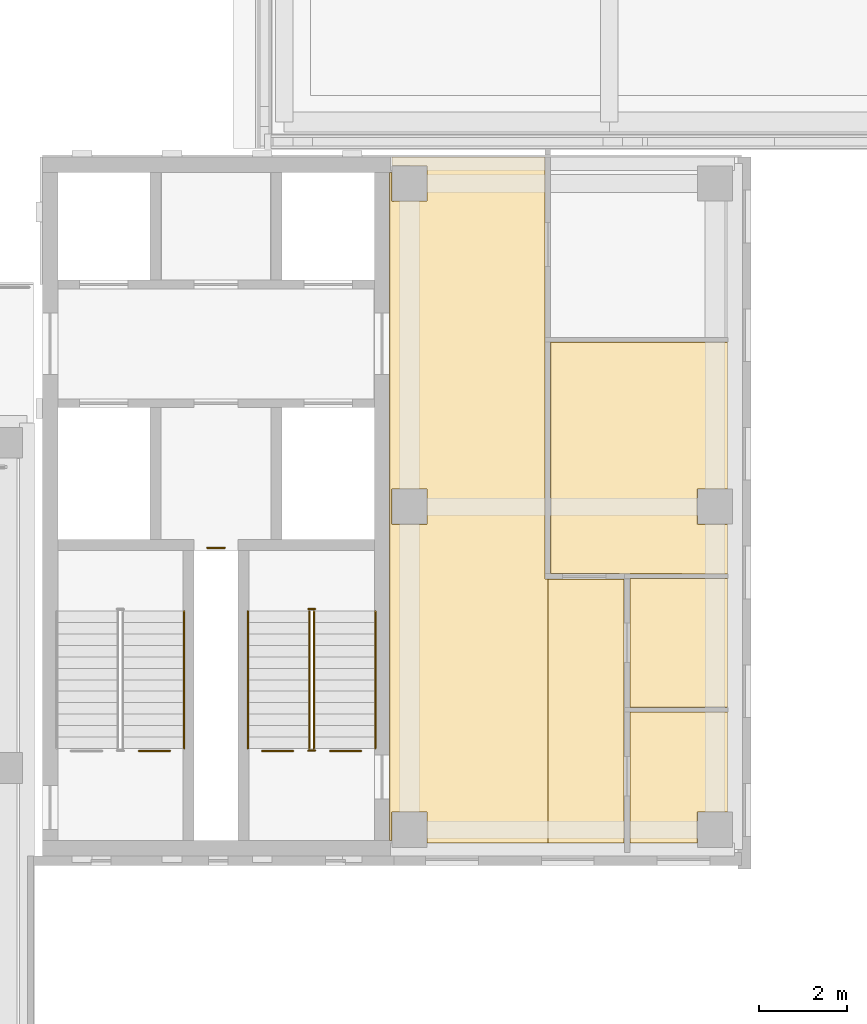
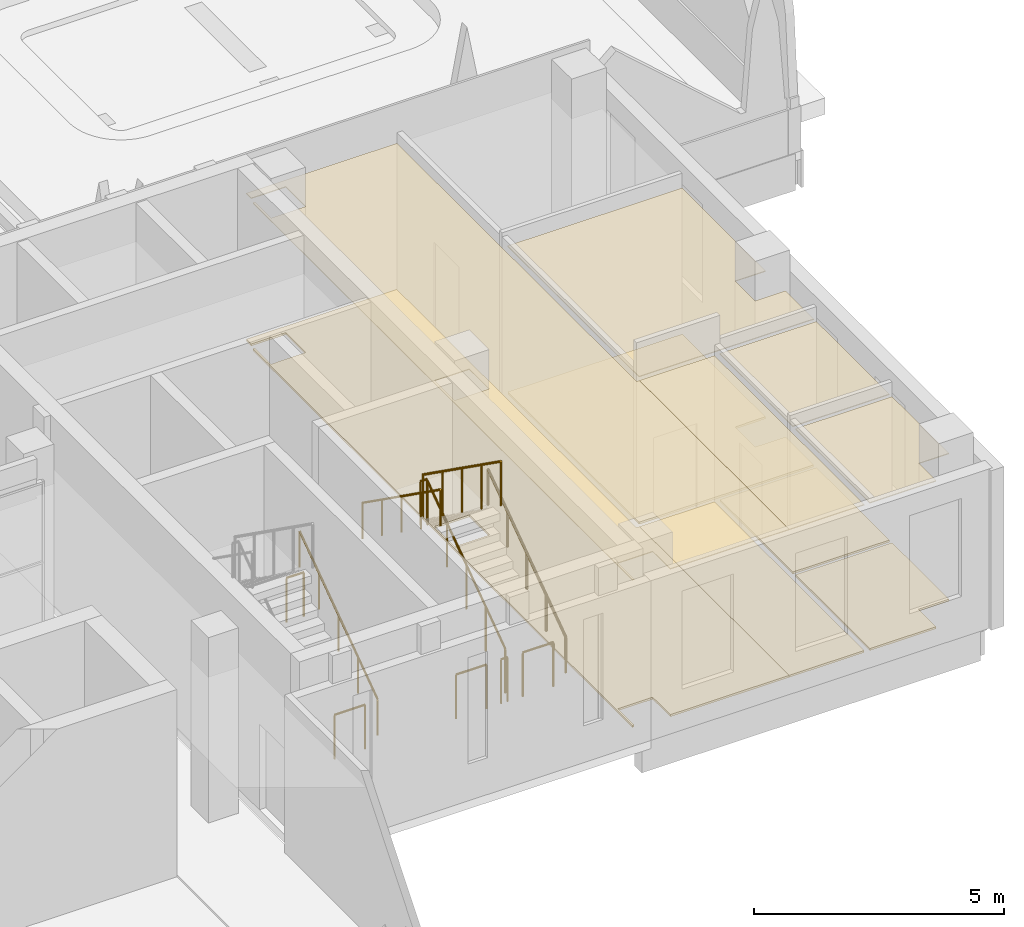
# One storey, part 40 of 46: 11 railings, 10 coverings.
"""IFC4 building model written with IfcOpenShell, lengths in metres."""

from ifc_helpers import new_model, si_unit, direction, frame, origin, origin_2d, place, context, subcontext, project, spatial, polyline, circle, outline, extrude, material, layer, layer_set, type_object, element, save


model = new_model("IFC4")

# Units and contexts
model_context = context("Model", 3, precision=1e-05, world=origin(), true_north=direction((0.0, 1.0)))
body_context = subcontext(model_context, "Body", "Model", "MODEL_VIEW")
ifc_project = project(units=[si_unit("LENGTHUNIT", "METRE"), si_unit("AREAUNIT", "SQUARE_METRE"), si_unit("VOLUMEUNIT", "CUBIC_METRE"), si_unit("PLANEANGLEUNIT", "RADIAN"), si_unit("MASSUNIT", "GRAM", prefix="KILO")], contexts=[model_context])

# Site, building, storey
site_placement = place(None, origin())
site = spatial("IfcSite", under=ifc_project, at=site_placement, CompositionType="ELEMENT")
building_placement = place(site_placement, origin())
building = spatial("IfcBuilding", under=site, at=building_placement, Name="Lantern Court Media Centre", CompositionType="ELEMENT")
storey_placement = place(building_placement, frame((0.0, 0.0, 28.800048828125)))
storey = spatial("IfcBuildingStorey", under=building, at=storey_placement, Name="L06", CompositionType="ELEMENT", Elevation=28.800048828125)

# Coverings
ifc_material_1 = material(Name="Carpet")
ifc_layer_1 = layer(ifc_material_1, 0.050048828125)
ifc_layer_set_1 = layer_set([ifc_layer_1], Name="Carpet")
covering_type_1 = type_object("IfcCoveringType", Name="Carpet floor finish", PredefinedType="FLOORING", material=ifc_layer_set_1)
covering_1_placement = place(storey_placement, origin())
element("IfcCovering", 1, at=covering_1_placement, inside=storey, type_object=covering_type_1, Name="Community Room 08 floor finish", PredefinedType="FLOORING", context=body_context, shape_type="SweptSolid", body=[
    extrude(outline(polyline([(95.699951171875, 54.4189453125), (91.66748046875, 54.431396484375), (91.66748046875, 59.68798828125), (95.699951171875, 59.68798828125), (95.699951171875, 56.35498046875), (94.9951171875, 56.35009765625), (94.99609375, 55.546875), (95.699951171875, 55.544921875), (95.699951171875, 54.4189453125)])), origin(), (0.0, 0.0, 1.0), 0.050048828125),
])
covering_2_placement = place(storey_placement, origin())
element("IfcCovering", 2, at=covering_2_placement, inside=storey, type_object=covering_type_1, Name="WC Male floor finish", PredefinedType="FLOORING", context=body_context, shape_type="SweptSolid", body=[
    extrude(outline(polyline([(95.699951171875, 49.0048828125), (94.99658203125, 49.00341796875), (94.9951171875, 48.300048828125), (93.467529296875, 48.300048828125), (93.467529296875, 51.277099609375), (95.699951171875, 51.277099609375), (95.699951171875, 49.0048828125)])), origin(), (0.0, 0.0, 1.0), 0.050048828125),
])
covering_3_placement = place(storey_placement, origin())
element("IfcCovering", 3, at=covering_3_placement, inside=storey, type_object=covering_type_1, Name="WC Female floor finish", PredefinedType="FLOORING", context=body_context, shape_type="SweptSolid", body=[
    extrude(outline(polyline([(95.699951171875, 51.386962890625), (93.467529296875, 51.386962890625), (93.467529296875, 54.30908203125), (95.699951171875, 54.30908203125), (95.699951171875, 51.386962890625)])), origin(), (0.0, 0.0, 1.0), 0.050048828125),
])

# Railings
ifc_material_2 = material(Name="Powder-coated steel", Category="steel")
railing_type_1 = type_object("IfcRailingType", Name="Floor edge guard 1100", PredefinedType="GUARDRAIL", material=ifc_material_2)
railing_1_placement = place(storey_placement, frame((87.35009765625, 50.390380859375, 0.0)))
element("IfcRailing", 4, at=railing_1_placement, inside=storey, type_object=railing_type_1, Name="L06 opening guard 147", PredefinedType="GUARDRAIL", context=body_context, shape_type="SweptSolid", body=[
    extrude(circle(Radius=0.02392578125, at=origin_2d()), frame((0.0, 0.0, 1.076171875), z_axis=(-1.0, 0.0, 0.0), x_axis=(0.0, -1.0, 0.0)), (0.0, 0.0, 1.0), 0.703857421875),
    extrude(circle(Radius=0.02099609375, at=origin_2d()), origin(), (0.0, 0.0, 1.0), 1.052001953125),
    extrude(circle(Radius=0.02099609375, at=origin_2d()), frame((-0.703857421875, 0.0, 0.0)), (0.0, 0.0, 1.0), 1.052001953125),
])
for number, where, name in (
    (5, (85.8037109375, 50.390380859375, 0.0), "L06 opening guard 148"),
    (6, (83.0, 50.390380859375, 0.0), "L06 opening guard 149"),
):
    element("IfcRailing", number, at=place(storey_placement, frame(where)), inside=storey, type_object=railing_type_1, Name=name, PredefinedType="GUARDRAIL", context=body_context, shape_type="SweptSolid", body=[
        extrude(circle(Radius=0.02392578125, at=origin_2d()), frame((0.0, 0.0, 1.076171875), z_axis=(-1.0, 0.0, 0.0), x_axis=(0.0, -1.0, 0.0)), (0.0, 0.0, 1.0), 0.70361328125),
        extrude(circle(Radius=0.02099609375, at=origin_2d()), origin(), (0.0, 0.0, 1.0), 1.052001953125),
        extrude(circle(Radius=0.02099609375, at=origin_2d()), frame((-0.70361328125, 0.0, 0.0)), (0.0, 0.0, 1.0), 1.052001953125),
    ])
railing_2_placement = place(storey_placement, frame((83.85009765625, 55.010009765625, 0.0)))
element("IfcRailing", 7, at=railing_2_placement, inside=storey, type_object=railing_type_1, Name="L06 opening guard 151", PredefinedType="GUARDRAIL", context=body_context, shape_type="SweptSolid", body=[
    extrude(circle(Radius=0.02392578125, at=origin_2d()), frame((0.0, 0.0, 1.076171875), z_axis=(1.0, 0.0, 0.0), x_axis=(0.0, 1.0, 0.0)), (0.0, 0.0, 1.0), 0.39990234375),
    extrude(circle(Radius=0.02099609375, at=origin_2d()), origin(), (0.0, 0.0, 1.0), 1.052001953125),
    extrude(circle(Radius=0.02099609375, at=origin_2d()), frame((0.39990234375, 0.0, 0.0)), (0.0, 0.0, 1.0), 1.052001953125),
])
railing_type_2 = type_object("IfcRailingType", Name="Stair guard 1100", PredefinedType="GUARDRAIL", material=ifc_material_2)
railing_3_placement = place(storey_placement, frame((86.27587890625, 50.449951171875, 0.1845703125)))
element("IfcRailing", 8, at=railing_3_placement, inside=storey, type_object=railing_type_2, Name="L06 ST-SEA stair guard 1", PredefinedType="GUARDRAIL", context=body_context, shape_type="SweptSolid", body=[
    extrude(circle(Radius=0.02392578125, at=origin_2d()), frame((0.0, 0.0, 1.076171875), z_axis=(0.0, 0.815376961211, 0.578930402662), x_axis=(-1.0, 0.0, 0.0)), (0.0, 0.0, 1.0), 3.82666015625),
    extrude(circle(Radius=0.02099609375, at=origin_2d()), origin(), (0.0, 0.0, 1.0), 1.052001953125),
    extrude(circle(Radius=0.02099609375, at=origin_2d()), frame((0.0, 0.780029296875, 0.5537109375)), (0.0, 0.0, 1.0), 1.052001953125),
    extrude(circle(Radius=0.02099609375, at=origin_2d()), frame((0.0, 1.56005859375, 1.107666015625)), (0.0, 0.0, 1.0), 1.052001953125),
    extrude(circle(Radius=0.02099609375, at=origin_2d()), frame((0.0, 2.340087890625, 1.66162109375)), (0.0, 0.0, 1.0), 1.052001953125),
    extrude(circle(Radius=0.02099609375, at=origin_2d()), frame((0.0, 3.1201171875, 2.21533203125)), (0.0, 0.0, 1.0), 1.052001953125),
])
railing_4_placement = place(storey_placement, frame((86.300048828125, 53.6201171875, 2.39990234375)))
element("IfcRailing", 9, at=railing_4_placement, inside=storey, type_object=railing_type_2, Name="L06 ST-SEA stair guard 2", PredefinedType="GUARDRAIL", context=body_context, shape_type="SweptSolid", body=[
    extrude(circle(Radius=0.02392578125, at=origin_2d()), frame((0.0, 0.0, 1.076171875), z_axis=(-1.0, 0.0, 0.0), x_axis=(0.0, -1.0, 0.0)), (0.0, 0.0, 1.0), 0.150146484375),
    extrude(circle(Radius=0.02099609375, at=origin_2d()), origin(), (0.0, 0.0, 1.0), 1.052001953125),
    extrude(circle(Radius=0.02099609375, at=origin_2d()), frame((-0.150146484375, 0.0, 0.0)), (0.0, 0.0, 1.0), 1.052001953125),
])
railing_5_placement = place(storey_placement, frame((86.174072265625, 53.570068359375, 2.58447265625)))
element("IfcRailing", 10, at=railing_5_placement, inside=storey, type_object=railing_type_2, Name="L06 ST-SEA stair guard 3", PredefinedType="GUARDRAIL", context=body_context, shape_type="SweptSolid", body=[
    extrude(circle(Radius=0.02392578125, at=origin_2d()), frame((0.0, 0.0, 1.076171875), z_axis=(0.0, -0.815346844174, 0.578972817752), x_axis=(1.0, 0.0, 0.0)), (0.0, 0.0, 1.0), 3.82666015625),
    extrude(circle(Radius=0.02099609375, at=origin_2d()), origin(), (0.0, 0.0, 1.0), 1.052001953125),
    extrude(circle(Radius=0.02099609375, at=origin_2d()), frame((0.0, -0.780029296875, 0.553955078125)), (0.0, 0.0, 1.0), 1.052001953125),
    extrude(circle(Radius=0.02099609375, at=origin_2d()), frame((0.0, -1.56005859375, 1.10791015625)), (0.0, 0.0, 1.0), 1.052001953125),
    extrude(circle(Radius=0.02099609375, at=origin_2d()), frame((0.0, -2.340087890625, 1.66162109375)), (0.0, 0.0, 1.0), 1.052001953125),
    extrude(circle(Radius=0.02099609375, at=origin_2d()), frame((0.0, -3.1201171875, 2.215576171875)), (0.0, 0.0, 1.0), 1.052001953125),
])
railing_6_placement = place(storey_placement, frame((86.300048828125, 50.39990234375, 0.0)))
element("IfcRailing", 11, at=railing_6_placement, inside=storey, type_object=railing_type_2, Name="L06 ST-SEA stair guard 4", PredefinedType="GUARDRAIL", context=body_context, shape_type="SweptSolid", body=[
    extrude(circle(Radius=0.02392578125, at=origin_2d()), frame((0.0, 0.0, 1.076171875), z_axis=(-1.0, 0.0, 0.0), x_axis=(0.0, -1.0, 0.0)), (0.0, 0.0, 1.0), 0.150146484375),
    extrude(circle(Radius=0.02099609375, at=origin_2d()), origin(), (0.0, 0.0, 1.0), 1.052001953125),
    extrude(circle(Radius=0.02099609375, at=origin_2d()), frame((-0.150146484375, 0.0, 0.0)), (0.0, 0.0, 1.0), 1.052001953125),
])
railing_type_3 = type_object("IfcRailingType", Name="Stair handrail 900", PredefinedType="HANDRAIL", material=ifc_material_2)
railing_7_placement = place(storey_placement, frame((87.674072265625, 50.449951171875, 0.1845703125)))
element("IfcRailing", 12, at=railing_7_placement, inside=storey, type_object=railing_type_3, Name="L06 ST-SEA stair handrail 1", PredefinedType="HANDRAIL", context=body_context, shape_type="SweptSolid", body=[
    extrude(circle(Radius=0.02392578125, at=origin_2d()), frame((0.0, 0.0, 0.8759765625), z_axis=(0.0, 0.815376961211, 0.578930402662), x_axis=(-1.0, 0.0, 0.0)), (0.0, 0.0, 1.0), 3.82666015625),
    extrude(circle(Radius=0.02099609375, at=origin_2d()), origin(), (0.0, 0.0, 1.0), 0.851806640625),
    extrude(circle(Radius=0.02099609375, at=origin_2d()), frame((0.0, 0.780029296875, 0.5537109375)), (0.0, 0.0, 1.0), 0.851806640625),
    extrude(circle(Radius=0.02099609375, at=origin_2d()), frame((0.0, 1.56005859375, 1.107666015625)), (0.0, 0.0, 1.0), 0.851806640625),
    extrude(circle(Radius=0.02099609375, at=origin_2d()), frame((0.0, 2.340087890625, 1.66162109375)), (0.0, 0.0, 1.0), 0.851806640625),
    extrude(circle(Radius=0.02099609375, at=origin_2d()), frame((0.0, 3.1201171875, 2.21533203125)), (0.0, 0.0, 1.0), 0.851806640625),
])
railing_8_placement = place(storey_placement, frame((84.77587890625, 53.570068359375, 2.58447265625)))
element("IfcRailing", 13, at=railing_8_placement, inside=storey, type_object=railing_type_3, Name="L06 ST-SEA stair handrail 2", PredefinedType="HANDRAIL", context=body_context, shape_type="SweptSolid", body=[
    extrude(circle(Radius=0.02392578125, at=origin_2d()), frame((0.0, 0.0, 0.8759765625), z_axis=(0.0, -0.815346844174, 0.578972817752), x_axis=(1.0, 0.0, 0.0)), (0.0, 0.0, 1.0), 3.82666015625),
    extrude(circle(Radius=0.02099609375, at=origin_2d()), origin(), (0.0, 0.0, 1.0), 0.851806640625),
    extrude(circle(Radius=0.02099609375, at=origin_2d()), frame((0.0, -0.780029296875, 0.553955078125)), (0.0, 0.0, 1.0), 0.851806640625),
    extrude(circle(Radius=0.02099609375, at=origin_2d()), frame((0.0, -1.56005859375, 1.10791015625)), (0.0, 0.0, 1.0), 0.851806640625),
    extrude(circle(Radius=0.02099609375, at=origin_2d()), frame((0.0, -2.340087890625, 1.66162109375)), (0.0, 0.0, 1.0), 0.851806640625),
    extrude(circle(Radius=0.02099609375, at=origin_2d()), frame((0.0, -3.1201171875, 2.215576171875)), (0.0, 0.0, 1.0), 0.851806640625),
])
railing_9_placement = place(storey_placement, frame((83.323974609375, 50.449951171875, 0.1845703125)))
element("IfcRailing", 14, at=railing_9_placement, inside=storey, type_object=railing_type_3, Name="L06 ST-SEB stair handrail 1", PredefinedType="HANDRAIL", context=body_context, shape_type="SweptSolid", body=[
    extrude(circle(Radius=0.02392578125, at=origin_2d()), frame((0.0, 0.0, 0.8759765625), z_axis=(0.0, 0.815376961211, 0.578930402662), x_axis=(-1.0, 0.0, 0.0)), (0.0, 0.0, 1.0), 3.82666015625),
    extrude(circle(Radius=0.02099609375, at=origin_2d()), origin(), (0.0, 0.0, 1.0), 0.851806640625),
    extrude(circle(Radius=0.02099609375, at=origin_2d()), frame((0.0, 0.780029296875, 0.5537109375)), (0.0, 0.0, 1.0), 0.851806640625),
    extrude(circle(Radius=0.02099609375, at=origin_2d()), frame((0.0, 1.56005859375, 1.107666015625)), (0.0, 0.0, 1.0), 0.851806640625),
    extrude(circle(Radius=0.02099609375, at=origin_2d()), frame((0.0, 2.340087890625, 1.66162109375)), (0.0, 0.0, 1.0), 0.851806640625),
    extrude(circle(Radius=0.02099609375, at=origin_2d()), frame((0.0, 3.1201171875, 2.21533203125)), (0.0, 0.0, 1.0), 0.851806640625),
])

# Coverings
ifc_material_3 = material(Name="Mineral fibre ceiling tile")
ifc_layer_2 = layer(ifc_material_3, 0.02001953125)
ifc_layer_set_2 = layer_set([ifc_layer_2], Name="Mineral fibre ceiling tile")
covering_type_2 = type_object("IfcCoveringType", Name="Suspended ceiling tile", PredefinedType="CEILING", material=ifc_layer_set_2)
covering_4_placement = place(storey_placement, frame((0.0, 0.0, 3.599853515625)))
element("IfcCovering", 15, at=covering_4_placement, inside=storey, type_object=covering_type_2, Name="Corridor ceiling", PredefinedType="CEILING", context=body_context, shape_type="SweptSolid", body=[
    extrude(outline(polyline([(91.60009765625, 48.300048828125), (88.8505859375, 48.300048828125), (88.85009765625, 49.00048828125), (88.049560546875, 49.00048828125), (88.049560546875, 48.3505859375), (88.00048828125, 48.3505859375), (88.00048828125, 63.549560546875), (88.049560546875, 63.549560546875), (88.049560546875, 62.899658203125), (88.8505859375, 62.89990234375), (88.850341796875, 63.700439453125), (88.050537109375, 63.700439453125), (88.050537109375, 63.89990234375), (91.537109375, 63.89990234375), (91.537109375, 54.301513671875), (91.60009765625, 54.301025390625), (91.60009765625, 48.300048828125)]), holes=[polyline([(88.050048828125, 56.3505859375), (88.049560546875, 55.549560546875), (88.850341796875, 55.549560546875), (88.850341796875, 56.350341796875), (88.050048828125, 56.3505859375)])]), origin(), (0.0, 0.0, 1.0), 0.02001953125),
])
covering_5_placement = place(storey_placement, frame((0.0, 0.0, 3.599853515625)))
element("IfcCovering", 16, at=covering_5_placement, inside=storey, type_object=covering_type_2, Name="Community Room 08 ceiling", PredefinedType="CEILING", context=body_context, shape_type="SweptSolid", body=[
    extrude(outline(polyline([(95.699951171875, 54.41455078125), (91.6630859375, 54.427001953125), (91.6630859375, 59.6923828125), (95.699951171875, 59.6923828125), (95.699951171875, 56.3505859375), (94.99951171875, 56.35009765625), (94.99951171875, 55.549560546875), (95.699951171875, 55.549560546875), (95.699951171875, 54.41455078125)])), origin(), (0.0, 0.0, 1.0), 0.02001953125),
])
covering_6_placement = place(storey_placement, frame((0.0, 0.0, 3.599853515625)))
element("IfcCovering", 17, at=covering_6_placement, inside=storey, type_object=covering_type_2, Name="WC Lobby ceiling", PredefinedType="CEILING", context=body_context, shape_type="SweptSolid", body=[
    extrude(outline(polyline([(91.60009765625, 48.300048828125), (91.60009765625, 54.301025390625), (93.3369140625, 54.301025390625), (93.3369140625, 48.300048828125), (91.60009765625, 48.300048828125)])), origin(), (0.0, 0.0, 1.0), 0.02001953125),
])
covering_7_placement = place(storey_placement, frame((0.0, 0.0, 3.599853515625)))
element("IfcCovering", 18, at=covering_7_placement, inside=storey, type_object=covering_type_2, Name="WC Male ceiling", PredefinedType="CEILING", context=body_context, shape_type="SweptSolid", body=[
    extrude(outline(polyline([(95.699951171875, 49.00048828125), (94.999755859375, 49.000244140625), (94.99951171875, 48.300048828125), (93.462890625, 48.300048828125), (93.462890625, 51.281494140625), (95.699951171875, 51.281494140625), (95.699951171875, 49.00048828125)])), origin(), (0.0, 0.0, 1.0), 0.02001953125),
])
covering_8_placement = place(storey_placement, frame((0.0, 0.0, 3.599853515625)))
element("IfcCovering", 19, at=covering_8_placement, inside=storey, type_object=covering_type_2, Name="WC Female ceiling", PredefinedType="CEILING", context=body_context, shape_type="SweptSolid", body=[
    extrude(outline(polyline([(95.699951171875, 51.382568359375), (93.462890625, 51.382568359375), (93.462890625, 54.3134765625), (95.699951171875, 54.3134765625), (95.699951171875, 51.382568359375)])), origin(), (0.0, 0.0, 1.0), 0.02001953125),
])
ifc_material_4 = material(Name="Terrazzo")
ifc_layer_3 = layer(ifc_material_4, 0.050048828125)
ifc_layer_set_3 = layer_set([ifc_layer_3], Name="Terrazzo")
covering_type_3 = type_object("IfcCoveringType", Name="Terrazzo floor finish", PredefinedType="FLOORING", material=ifc_layer_set_3)
covering_9_placement = place(storey_placement, origin())
element("IfcCovering", 20, at=covering_9_placement, inside=storey, type_object=covering_type_3, Name="Corridor floor finish", PredefinedType="FLOORING", context=body_context, shape_type="SweptSolid", body=[
    extrude(outline(polyline([(91.60009765625, 48.300048828125), (88.85498046875, 48.300048828125), (88.85009765625, 49.0048828125), (88.046875, 49.00390625), (88.044921875, 48.35498046875), (88.0048828125, 48.35498046875), (88.0048828125, 63.544921875), (88.044921875, 63.544921875), (88.046875, 62.896240234375), (88.85498046875, 62.89990234375), (88.853759765625, 63.703125), (88.054931640625, 63.705078125), (88.054931640625, 63.89990234375), (91.532470703125, 63.89990234375), (91.532470703125, 54.301513671875), (91.60009765625, 54.29638671875), (91.60009765625, 48.300048828125)]), holes=[polyline([(88.85498046875, 56.35009765625), (88.04638671875, 56.353515625), (88.04638671875, 55.54638671875), (88.853515625, 55.54638671875), (88.85498046875, 56.35009765625)])]), origin(), (0.0, 0.0, 1.0), 0.050048828125),
])
covering_10_placement = place(storey_placement, origin())
element("IfcCovering", 21, at=covering_10_placement, inside=storey, type_object=covering_type_3, Name="WC Lobby floor finish", PredefinedType="FLOORING", context=body_context, shape_type="SweptSolid", body=[
    extrude(outline(polyline([(91.60009765625, 48.300048828125), (91.60009765625, 54.29638671875), (93.33251953125, 54.29638671875), (93.33251953125, 48.300048828125), (91.60009765625, 48.300048828125)])), origin(), (0.0, 0.0, 1.0), 0.050048828125),
])

save(model, "model.ifc")
